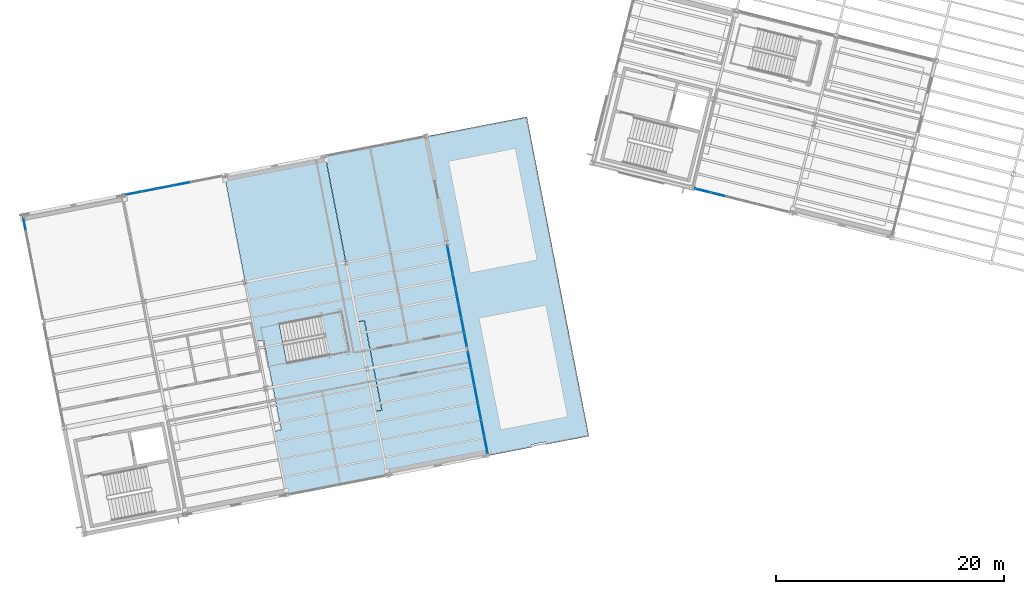
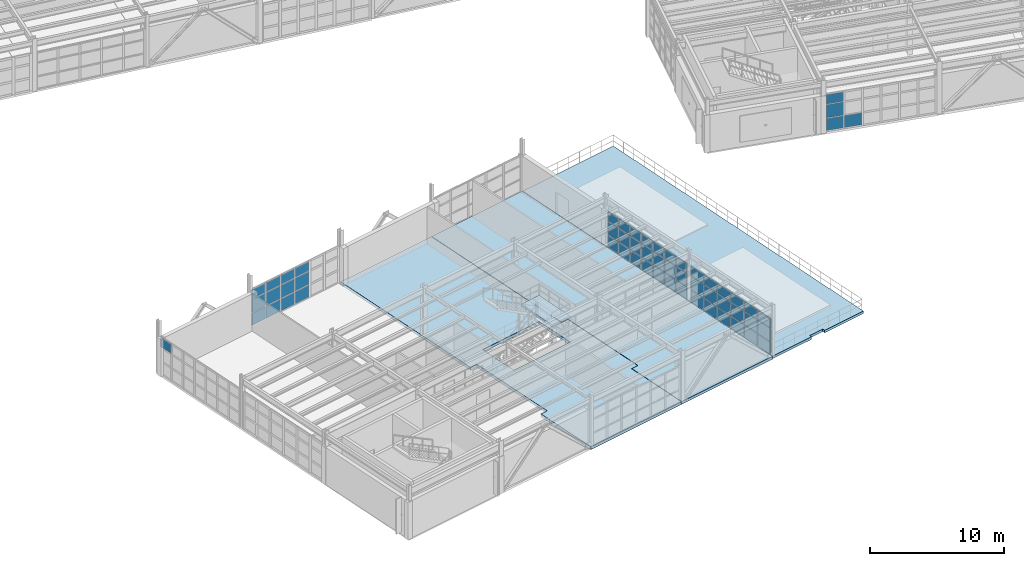
# One storey, part 65 of 109: 56 plates, 4 slabs, 6 elements without a shape of their own.
"""IFC4 building model written with IfcOpenShell, lengths in metres."""

import ifcopenshell
import ifcopenshell.guid

model = None  # the IFC model being written
_history = None  # IfcOwnerHistory: only IFC2X3 demands one
_inside = {}  # id of a spatial element -> (the spatial element, [elements in it])
_under = {}  # id of a project, library or spatial element -> (it, [spatial elements below it])
_declared = {}  # id of a project -> (the project, [libraries it declares])
_typed = {}  # id of a type object -> (the type object, [elements of that type])
_made_of = {}  # id of a material, layer set ... -> (it, [elements and type objects made of it])


def new_model(schema):
    """Start an empty IFC model of exactly this schema.

    Asked for "IFC4X3", IfcOpenShell would pick the latest addendum, in which some entities
    have other attributes; the version numbers below select the first issue.
    IFC2X3 requires an IfcOwnerHistory on every rooted entity: one is made here for all.
    """
    global model, _history
    if schema == "IFC4X3":
        model = ifcopenshell.file(schema_version=(4, 3, 0, 0))
    else:
        model = ifcopenshell.file(schema=schema)
    _inside.clear()
    _under.clear()
    _declared.clear()
    _typed.clear()
    _made_of.clear()
    _history = None
    if model.schema == "IFC2X3":
        org = make("IfcOrganization", Name="unknown")
        user = make(
            "IfcPersonAndOrganization",
            ThePerson=make("IfcPerson", FamilyName="unknown"),
            TheOrganization=org,
        )
        app = make(
            "IfcApplication",
            ApplicationDeveloper=org,
            Version="unknown",
            ApplicationFullName="unknown",
            ApplicationIdentifier="unknown",
        )
        _history = make(
            "IfcOwnerHistory",
            OwningUser=user,
            OwningApplication=app,
            ChangeAction="ADDED",
            CreationDate=0,
        )
    return model


def make(cls, **values):
    """One entity of the class cls with the attributes given. An attribute that is None is left unset."""
    return model.create_entity(
        cls, **{name: value for name, value in values.items() if value is not None}
    )


def rooted(cls, **values):
    """An entity with a GlobalId (a new one), such as an element, a storey or a relation."""
    return make(cls, GlobalId=ifcopenshell.guid.new(), OwnerHistory=_history, **values)


def si_unit(unit_type, name, prefix=None):
    """IfcSIUnit, for example si_unit("LENGTHUNIT", "METRE", prefix="MILLI")."""
    return make("IfcSIUnit", UnitType=unit_type, Prefix=prefix, Name=name)


def assignment(units):
    """IfcUnitAssignment: the units of a project."""
    return None if units is None else make("IfcUnitAssignment", Units=units)


def point(xyz):
    """IfcCartesianPoint."""
    return None if xyz is None else make("IfcCartesianPoint", Coordinates=xyz)


def direction(xyz):
    """IfcDirection."""
    return None if xyz is None else make("IfcDirection", DirectionRatios=xyz)


def frame(location, z_axis=None, x_axis=None):
    """IfcAxis2Placement3D, a coordinate frame: its origin and axes. An axis left out is left unset."""
    return make(
        "IfcAxis2Placement3D",
        Location=point(location),
        Axis=direction(z_axis),
        RefDirection=direction(x_axis),
    )


def frame_2d(location, x_axis=None):
    """IfcAxis2Placement2D, a coordinate frame in the plane: its origin and x axis."""
    return make(
        "IfcAxis2Placement2D", Location=point(location), RefDirection=direction(x_axis)
    )


def origin():
    """The frame at (0, 0, 0) with its axes left unset."""
    return frame((0.0, 0.0, 0.0))


def origin_2d():
    """The frame at (0, 0) in the plane with its x axis left unset."""
    return frame_2d((0.0, 0.0))


def place(relative_to, where):
    """IfcLocalPlacement: puts the frame where relative to a parent placement (None: the world)."""
    return make(
        "IfcLocalPlacement", PlacementRelTo=relative_to, RelativePlacement=where
    )


def context(
    kind, dimensions, precision=None, world=None, true_north=None, identifier=None
):
    """IfcGeometricRepresentationContext, for example the 3D "Model" context."""
    return make(
        "IfcGeometricRepresentationContext",
        ContextIdentifier=identifier,
        ContextType=kind,
        CoordinateSpaceDimension=dimensions,
        Precision=precision,
        WorldCoordinateSystem=world,
        TrueNorth=true_north,
    )


def subcontext(parent, identifier, kind, view, scale=None):
    """IfcGeometricRepresentationSubContext, for example "Body" below "Model"."""
    return make(
        "IfcGeometricRepresentationSubContext",
        ContextIdentifier=identifier,
        ContextType=kind,
        ParentContext=parent,
        TargetScale=scale,
        TargetView=view,
    )


def project(units=None, contexts=None):
    """IfcProject with its units and contexts."""
    return rooted(
        "IfcProject",
        Name="project",
        RepresentationContexts=contexts,
        UnitsInContext=assignment(units),
    )


def spatial(cls, under=None, at=None, **own):
    """A site, building, storey or space (cls), placed at a placement, below another one or the project."""
    s = rooted(cls, ObjectPlacement=at, **own)
    if under is not None:
        _under.setdefault(under.id(), (under, []))[1].append(s)
    return s


def polyline(points):
    """IfcPolyline through the points."""
    return make("IfcPolyline", Points=[point(p) for p in points])


def profile(cls, at=None, kind="AREA", **sizes):
    """A parametric profile (cls). Its sizes go by their IFC names, for example OverallWidth=200.0."""
    return make(cls, ProfileType=kind, Position=at, **sizes)


def rectangle(**sizes):
    """IfcRectangleProfileDef."""
    return profile("IfcRectangleProfileDef", **sizes)


def outline(outer, holes=None, kind="AREA"):
    """IfcArbitraryClosedProfileDef: a profile drawn as a closed curve; with holes, ...WithVoids."""
    if holes is None:
        return make("IfcArbitraryClosedProfileDef", ProfileType=kind, OuterCurve=outer)
    return make(
        "IfcArbitraryProfileDefWithVoids",
        ProfileType=kind,
        OuterCurve=outer,
        InnerCurves=holes,
    )


def extrude(swept, where, along, depth):
    """IfcExtrudedAreaSolid: the profile swept, set in the frame where, extruded along a direction by depth."""
    return make(
        "IfcExtrudedAreaSolid",
        SweptArea=swept,
        Position=where,
        ExtrudedDirection=direction(along),
        Depth=depth,
    )


def shape(context_of_items, identifier, shape_type, items):
    """IfcShapeRepresentation: the items that make up one representation, for example the "Body"."""
    return make(
        "IfcShapeRepresentation",
        ContextOfItems=context_of_items,
        RepresentationIdentifier=identifier,
        RepresentationType=shape_type,
        Items=items,
    )


def material(Name=None, Category=None):
    """IfcMaterial."""
    return make("IfcMaterial", Name=Name, Category=Category)


def layer(
    of_material, thickness, ventilated=None, Name=None, Category=None, Priority=None
):
    """IfcMaterialLayer: one layer of a wall or slab, of a material (None: an air gap)."""
    return make(
        "IfcMaterialLayer",
        Material=of_material,
        LayerThickness=thickness,
        IsVentilated=ventilated,
        Name=Name,
        Category=Category,
        Priority=Priority,
    )


def layer_set(layers, Name=None):
    """IfcMaterialLayerSet."""
    return make("IfcMaterialLayerSet", MaterialLayers=layers, LayerSetName=Name)


def made_of(thing, what):
    """Note that an element or type object is made of a material, layer set ...; save() writes the relation."""
    if what is not None:
        _made_of.setdefault(what.id(), (what, []))[1].append(thing)
    return thing


def type_object(cls, material=None, **own):
    """A type object (cls), such as IfcWallType, which elements share."""
    return made_of(rooted(cls, **own), material)


def element(
    cls,
    number,
    at=None,
    inside=None,
    cuts=None,
    type_object=None,
    material=None,
    context=None,
    identifier="Body",
    shape_type=None,
    held_by="IfcProductDefinitionShape",
    body=None,
    shapes=None,
    **own,
):
    """One element of the class cls, such as IfcWall. Its Tag is "e" and its number.

    at: its placement. inside: the storey or other place that contains it. cuts: it is an
    opening in that element (IfcRelVoidsElement). A single representation is given by context,
    identifier, shape_type and body (its items); several are given by shapes. held_by: the class
    of the entity that holds the representations. save() writes the other relations.
    """
    e = rooted(cls, Tag="e%d" % number, ObjectPlacement=at, **own)
    if body is not None:
        shapes = [shape(context, identifier, shape_type, body)]
    if shapes is not None:
        e.Representation = make(held_by, Representations=shapes)
    if inside is not None:
        _inside.setdefault(inside.id(), (inside, []))[1].append(e)
    if cuts is not None:
        rooted(
            "IfcRelVoidsElement", RelatingBuildingElement=cuts, RelatedOpeningElement=e
        )
    if type_object is not None:
        _typed.setdefault(type_object.id(), (type_object, []))[1].append(e)
    return made_of(e, material)


def aggregate(whole, parts):
    """IfcRelAggregates: a whole, such as a stair, and the parts it consists of."""
    return rooted("IfcRelAggregates", RelatingObject=whole, RelatedObjects=parts)


def save(model, path):
    """Write the relations noted so far, then the file.

    IfcRelAggregates (storeys below a building ...), IfcRelContainedInSpatialStructure (elements
    in a storey), IfcRelDefinesByType, IfcRelAssociatesMaterial and IfcRelDeclares: one each for
    every whole, place, type object, material and project.
    """
    for whole, parts in _under.values():
        aggregate(whole, parts)
    for where, things in _inside.values():
        rooted(
            "IfcRelContainedInSpatialStructure",
            RelatedElements=things,
            RelatingStructure=where,
        )
    for kind, things in _typed.values():
        rooted("IfcRelDefinesByType", RelatedObjects=things, RelatingType=kind)
    for what, things in _made_of.values():
        rooted("IfcRelAssociatesMaterial", RelatedObjects=things, RelatingMaterial=what)
    for by, libraries in _declared.values():
        rooted("IfcRelDeclares", RelatingContext=by, RelatedDefinitions=libraries)
    model.write(path)


model = new_model("IFC4")

# Units and contexts
model_context = context("Model", 3, precision=1e-05, world=origin(), true_north=direction((0.0, 1.0)))
body_context = subcontext(model_context, "Body", "Model", "MODEL_VIEW")
ifc_project = project(units=[si_unit("LENGTHUNIT", "METRE"), si_unit("AREAUNIT", "SQUARE_METRE"), si_unit("VOLUMEUNIT", "CUBIC_METRE"), si_unit("PLANEANGLEUNIT", "RADIAN"), si_unit("MASSUNIT", "GRAM", prefix="KILO")], contexts=[model_context])

# Site, building, storey
site_placement = place(None, origin())
site = spatial("IfcSite", under=ifc_project, at=site_placement, CompositionType="ELEMENT")
building_placement = place(site_placement, origin())
building = spatial("IfcBuilding", under=site, at=building_placement, Name="Vireo Bluff Cable Station", CompositionType="ELEMENT")
storey_placement = place(building_placement, frame((0.0, 0.0, 4.800048828125)))
storey = spatial("IfcBuildingStorey", under=building, at=storey_placement, Name="L01", CompositionType="ELEMENT", Elevation=4.800048828125)

# Curtain wall, plate
ifc_material_1 = material(Name="Anodized Aluminium 6063-T6", Category="aluminium")
ifc_layer_1 = layer(ifc_material_1, 0.179931640625, Name="Anodized Aluminium 6063-T6")
ifc_layer_set_1 = layer_set([ifc_layer_1], Name="Anodized Aluminium 6063-T6")
curtain_wall_type_1 = type_object("IfcCurtainWallType", Name="CW-UNIT-1400", PredefinedType="USERDEFINED", material=ifc_layer_set_1)
curtain_wall_1_placement = place(storey_placement, origin())
curtain_wall_1 = element("IfcCurtainWall", 1, at=curtain_wall_1_placement, inside=storey, type_object=curtain_wall_type_1, Name="V5 L01 west curtain wall CW-120", ObjectType="UNITISED CURTAIN WALL", PredefinedType="USERDEFINED")
ifc_material_2 = material(Name="Laminated Low-E Insulated Glass", Category="glass")
ifc_layer_2 = layer(ifc_material_2, 0.028076171875, Name="Laminated Low-E Insulated Glass")
ifc_layer_set_2 = layer_set([ifc_layer_2], Name="Laminated Low-E Insulated Glass")
plate_type_1 = type_object("IfcPlateType", Name="CWP-28-1", PredefinedType="CURTAIN_PANEL", material=ifc_layer_set_2)
plate_1_placement = place(storey_placement, frame((4.2197265625, 32.6640625, 2.48046875), z_axis=(0.0, 0.0, 1.0), x_axis=(-0.190808999917, 0.981627182565, 0.0)))
plate_1 = element("IfcPlate", 2, at=plate_1_placement, type_object=plate_type_1, Name="CW-120 panel 7.3", PredefinedType="CURTAIN_PANEL", context=body_context, shape_type="SweptSolid", body=[
    extrude(rectangle(XDim=1.2109375, YDim=0.028076171875, at=origin_2d()), origin(), (0.0, 0.0, 1.0), 0.8544921875),
])
aggregate(curtain_wall_1, [plate_1])

# Curtain wall, plates
ifc_layer_3 = layer(ifc_material_1, 0.179931640625, Name="Anodized Aluminium 6063-T6")
ifc_layer_set_3 = layer_set([ifc_layer_3], Name="Anodized Aluminium 6063-T6")
curtain_wall_type_2 = type_object("IfcCurtainWallType", Name="CW-UNIT-1500", PredefinedType="USERDEFINED", material=ifc_layer_set_3)
curtain_wall_2_placement = place(storey_placement, origin())
curtain_wall_2 = element("IfcCurtainWall", 3, at=curtain_wall_2_placement, inside=storey, type_object=curtain_wall_type_2, Name="V5 L01 north curtain wall CW-121", ObjectType="UNITISED CURTAIN WALL", PredefinedType="USERDEFINED")
ifc_layer_4 = layer(ifc_material_2, 0.031982421875, Name="Laminated Low-E Insulated Glass")
ifc_layer_set_4 = layer_set([ifc_layer_4], Name="Laminated Low-E Insulated Glass")
plate_type_2 = type_object("IfcPlateType", Name="CWP-32-2", PredefinedType="CURTAIN_PANEL", material=ifc_layer_set_4)
plate_2_placement = place(storey_placement, frame((13.75341796875, 35.360107421875, 0.0751953125), z_axis=(0.0, 0.0, 1.0), x_axis=(0.981627185572, 0.190808984446, 0.0)))
plate_2 = element("IfcPlate", 4, at=plate_2_placement, type_object=plate_type_2, Name="CW-121 panel 1.1", PredefinedType="CURTAIN_PANEL", context=body_context, shape_type="SweptSolid", body=[
    extrude(rectangle(XDim=1.33447265625, YDim=0.031982421875, at=origin_2d()), origin(), (0.0, 0.0, 1.0), 1.077392578125),
])
plate_3_placement = place(storey_placement, frame((13.75341796875, 35.360107421875, 1.227294921875), z_axis=(0.0, 0.0, 1.0), x_axis=(0.981627185572, 0.190808984446, 0.0)))
plate_3 = element("IfcPlate", 5, at=plate_3_placement, type_object=plate_type_2, Name="CW-121 panel 1.2", PredefinedType="CURTAIN_PANEL", context=body_context, shape_type="SweptSolid", body=[
    extrude(rectangle(XDim=1.33447265625, YDim=0.031982421875, at=origin_2d()), origin(), (0.0, 0.0, 1.0), 1.18310546875),
])
plate_4_placement = place(storey_placement, frame((13.75341796875, 35.360107421875, 2.4853515625), z_axis=(0.0, 0.0, 1.0), x_axis=(0.981627185572, 0.190808984446, 0.0)))
plate_4 = element("IfcPlate", 6, at=plate_4_placement, type_object=plate_type_2, Name="CW-121 panel 1.3", PredefinedType="CURTAIN_PANEL", context=body_context, shape_type="SweptSolid", body=[
    extrude(rectangle(XDim=1.33447265625, YDim=0.031982421875, at=origin_2d()), origin(), (0.0, 0.0, 1.0), 0.839599609375),
])
plate_5_placement = place(storey_placement, frame((15.155517578125, 35.6328125, 0.0751953125), z_axis=(0.0, 0.0, 1.0), x_axis=(0.981627185572, 0.190808984446, 0.0)))
plate_5 = element("IfcPlate", 7, at=plate_5_placement, type_object=plate_type_2, Name="CW-121 panel 2.1", PredefinedType="CURTAIN_PANEL", context=body_context, shape_type="SweptSolid", body=[
    extrude(rectangle(XDim=1.3720703125, YDim=0.031982421875, at=origin_2d()), origin(), (0.0, 0.0, 1.0), 1.077392578125),
])
plate_6_placement = place(storey_placement, frame((15.155517578125, 35.6328125, 1.227294921875), z_axis=(0.0, 0.0, 1.0), x_axis=(0.981627185572, 0.190808984446, 0.0)))
plate_6 = element("IfcPlate", 8, at=plate_6_placement, type_object=plate_type_2, Name="CW-121 panel 2.2", PredefinedType="CURTAIN_PANEL", context=body_context, shape_type="SweptSolid", body=[
    extrude(rectangle(XDim=1.3720703125, YDim=0.031982421875, at=origin_2d()), origin(), (0.0, 0.0, 1.0), 1.18310546875),
])
plate_7_placement = place(storey_placement, frame((15.155517578125, 35.6328125, 2.4853515625), z_axis=(0.0, 0.0, 1.0), x_axis=(0.981627185572, 0.190808984446, 0.0)))
plate_7 = element("IfcPlate", 9, at=plate_7_placement, type_object=plate_type_2, Name="CW-121 panel 2.3", PredefinedType="CURTAIN_PANEL", context=body_context, shape_type="SweptSolid", body=[
    extrude(rectangle(XDim=1.3720703125, YDim=0.031982421875, at=origin_2d()), origin(), (0.0, 0.0, 1.0), 0.839599609375),
])
plate_8_placement = place(storey_placement, frame((16.575927734375, 35.908935546875, 0.0751953125), z_axis=(0.0, 0.0, 1.0), x_axis=(0.981627185572, 0.190808984446, 0.0)))
plate_8 = element("IfcPlate", 10, at=plate_8_placement, type_object=plate_type_2, Name="CW-121 panel 3.1", PredefinedType="CURTAIN_PANEL", context=body_context, shape_type="SweptSolid", body=[
    extrude(rectangle(XDim=1.3720703125, YDim=0.031982421875, at=origin_2d()), origin(), (0.0, 0.0, 1.0), 1.077392578125),
])
plate_9_placement = place(storey_placement, frame((16.575927734375, 35.908935546875, 1.227294921875), z_axis=(0.0, 0.0, 1.0), x_axis=(0.981627185572, 0.190808984446, 0.0)))
plate_9 = element("IfcPlate", 11, at=plate_9_placement, type_object=plate_type_2, Name="CW-121 panel 3.2", PredefinedType="CURTAIN_PANEL", context=body_context, shape_type="SweptSolid", body=[
    extrude(rectangle(XDim=1.3720703125, YDim=0.031982421875, at=origin_2d()), origin(), (0.0, 0.0, 1.0), 1.18310546875),
])
plate_10_placement = place(storey_placement, frame((16.575927734375, 35.908935546875, 2.4853515625), z_axis=(0.0, 0.0, 1.0), x_axis=(0.981627185572, 0.190808984446, 0.0)))
plate_10 = element("IfcPlate", 12, at=plate_10_placement, type_object=plate_type_2, Name="CW-121 panel 3.3", PredefinedType="CURTAIN_PANEL", context=body_context, shape_type="SweptSolid", body=[
    extrude(rectangle(XDim=1.3720703125, YDim=0.031982421875, at=origin_2d()), origin(), (0.0, 0.0, 1.0), 0.839599609375),
])
plate_11_placement = place(storey_placement, frame((17.996337890625, 36.18505859375, 0.0751953125), z_axis=(0.0, 0.0, 1.0), x_axis=(0.981627185572, 0.190808984446, 0.0)))
plate_11 = element("IfcPlate", 13, at=plate_11_placement, type_object=plate_type_2, Name="CW-121 panel 4.1", PredefinedType="CURTAIN_PANEL", context=body_context, shape_type="SweptSolid", body=[
    extrude(rectangle(XDim=1.3720703125, YDim=0.031982421875, at=origin_2d()), origin(), (0.0, 0.0, 1.0), 1.077392578125),
])
plate_12_placement = place(storey_placement, frame((17.996337890625, 36.18505859375, 1.227294921875), z_axis=(0.0, 0.0, 1.0), x_axis=(0.981627185572, 0.190808984446, 0.0)))
plate_12 = element("IfcPlate", 14, at=plate_12_placement, type_object=plate_type_2, Name="CW-121 panel 4.2", PredefinedType="CURTAIN_PANEL", context=body_context, shape_type="SweptSolid", body=[
    extrude(rectangle(XDim=1.3720703125, YDim=0.031982421875, at=origin_2d()), origin(), (0.0, 0.0, 1.0), 1.18310546875),
])
plate_13_placement = place(storey_placement, frame((17.996337890625, 36.18505859375, 2.4853515625), z_axis=(0.0, 0.0, 1.0), x_axis=(0.981627185572, 0.190808984446, 0.0)))
plate_13 = element("IfcPlate", 15, at=plate_13_placement, type_object=plate_type_2, Name="CW-121 panel 4.3", PredefinedType="CURTAIN_PANEL", context=body_context, shape_type="SweptSolid", body=[
    extrude(rectangle(XDim=1.3720703125, YDim=0.031982421875, at=origin_2d()), origin(), (0.0, 0.0, 1.0), 0.839599609375),
])
aggregate(curtain_wall_2, [plate_2, plate_3, plate_4, plate_5, plate_6, plate_7, plate_8, plate_9, plate_10, plate_11, plate_12, plate_13])

curtain_wall_3_placement = place(storey_placement, origin())
curtain_wall_3 = element("IfcCurtainWall", 16, at=curtain_wall_3_placement, inside=storey, type_object=curtain_wall_type_1, Name="V5 L01 east curtain wall CW-123", ObjectType="UNITISED CURTAIN WALL", PredefinedType="USERDEFINED")
ifc_material_3 = material(Name="Insulated Spandrel Glass Panel", Category="glass")
ifc_layer_5 = layer(ifc_material_3, 0.0419921875, Name="Insulated Spandrel Glass Panel")
ifc_layer_set_5 = layer_set([ifc_layer_5], Name="Insulated Spandrel Glass Panel")
plate_type_3 = type_object("IfcPlateType", Name="CWP-42-4", PredefinedType="CURTAIN_PANEL", material=ifc_layer_set_5)
plate_14_placement = place(storey_placement, frame((41.37646484375, 30.179931640625, 0.080078125), z_axis=(0.0, 0.0, 1.0), x_axis=(0.190809043708, -0.981627174053, 0.0)))
plate_14 = element("IfcPlate", 17, at=plate_14_placement, type_object=plate_type_3, Name="CW-123 panel 1.1", PredefinedType="CURTAIN_PANEL", context=body_context, shape_type="SweptSolid", body=[
    extrude(rectangle(XDim=1.184814453125, YDim=0.0419921875, at=origin_2d()), origin(), (0.0, 0.0, 1.0), 1.070068359375),
])
plate_15_placement = place(storey_placement, frame((41.37646484375, 30.179931640625, 1.22998046875), z_axis=(0.0, 0.0, 1.0), x_axis=(0.190809043708, -0.981627174053, 0.0)))
plate_15 = element("IfcPlate", 18, at=plate_15_placement, type_object=plate_type_3, Name="CW-123 panel 1.2", PredefinedType="CURTAIN_PANEL", context=body_context, shape_type="SweptSolid", body=[
    extrude(rectangle(XDim=1.184814453125, YDim=0.0419921875, at=origin_2d()), origin(), (0.0, 0.0, 1.0), 1.177978515625),
])
plate_16_placement = place(storey_placement, frame((41.37646484375, 30.179931640625, 2.488037109375), z_axis=(0.0, 0.0, 1.0), x_axis=(0.190809043708, -0.981627174053, 0.0)))
plate_16 = element("IfcPlate", 19, at=plate_16_placement, type_object=plate_type_3, Name="CW-123 panel 1.3", PredefinedType="CURTAIN_PANEL", context=body_context, shape_type="SweptSolid", body=[
    extrude(rectangle(XDim=1.184814453125, YDim=0.0419921875, at=origin_2d()), origin(), (0.0, 0.0, 1.0), 0.83203125),
])
plate_17_placement = place(storey_placement, frame((41.62158203125, 28.918701171875, 0.080078125), z_axis=(0.0, 0.0, 1.0), x_axis=(0.190809043708, -0.981627174053, 0.0)))
plate_17 = element("IfcPlate", 20, at=plate_17_placement, type_object=plate_type_3, Name="CW-123 panel 2.1", PredefinedType="CURTAIN_PANEL", context=body_context, shape_type="SweptSolid", body=[
    extrude(rectangle(XDim=1.224609375, YDim=0.0419921875, at=origin_2d()), origin(), (0.0, 0.0, 1.0), 1.070068359375),
])
plate_18_placement = place(storey_placement, frame((41.62158203125, 28.918701171875, 1.22998046875), z_axis=(0.0, 0.0, 1.0), x_axis=(0.190809043708, -0.981627174053, 0.0)))
plate_18 = element("IfcPlate", 21, at=plate_18_placement, type_object=plate_type_3, Name="CW-123 panel 2.2", PredefinedType="CURTAIN_PANEL", context=body_context, shape_type="SweptSolid", body=[
    extrude(rectangle(XDim=1.224609375, YDim=0.0419921875, at=origin_2d()), origin(), (0.0, 0.0, 1.0), 1.177978515625),
])
plate_19_placement = place(storey_placement, frame((41.62158203125, 28.918701171875, 2.488037109375), z_axis=(0.0, 0.0, 1.0), x_axis=(0.190809043708, -0.981627174053, 0.0)))
plate_19 = element("IfcPlate", 22, at=plate_19_placement, type_object=plate_type_3, Name="CW-123 panel 2.3", PredefinedType="CURTAIN_PANEL", context=body_context, shape_type="SweptSolid", body=[
    extrude(rectangle(XDim=1.224609375, YDim=0.0419921875, at=origin_2d()), origin(), (0.0, 0.0, 1.0), 0.83203125),
])
plate_20_placement = place(storey_placement, frame((41.87060546875, 27.637939453125, 0.080078125), z_axis=(0.0, 0.0, 1.0), x_axis=(0.190809043708, -0.981627174053, 0.0)))
plate_20 = element("IfcPlate", 23, at=plate_20_placement, type_object=plate_type_3, Name="CW-123 panel 3.1", PredefinedType="CURTAIN_PANEL", context=body_context, shape_type="SweptSolid", body=[
    extrude(rectangle(XDim=1.224609375, YDim=0.0419921875, at=origin_2d()), origin(), (0.0, 0.0, 1.0), 1.070068359375),
])
plate_21_placement = place(storey_placement, frame((41.87060546875, 27.637939453125, 1.22998046875), z_axis=(0.0, 0.0, 1.0), x_axis=(0.190809043708, -0.981627174053, 0.0)))
plate_21 = element("IfcPlate", 24, at=plate_21_placement, type_object=plate_type_3, Name="CW-123 panel 3.2", PredefinedType="CURTAIN_PANEL", context=body_context, shape_type="SweptSolid", body=[
    extrude(rectangle(XDim=1.224609375, YDim=0.0419921875, at=origin_2d()), origin(), (0.0, 0.0, 1.0), 1.177978515625),
])
plate_22_placement = place(storey_placement, frame((41.87060546875, 27.637939453125, 2.488037109375), z_axis=(0.0, 0.0, 1.0), x_axis=(0.190809043708, -0.981627174053, 0.0)))
plate_22 = element("IfcPlate", 25, at=plate_22_placement, type_object=plate_type_3, Name="CW-123 panel 3.3", PredefinedType="CURTAIN_PANEL", context=body_context, shape_type="SweptSolid", body=[
    extrude(rectangle(XDim=1.224609375, YDim=0.0419921875, at=origin_2d()), origin(), (0.0, 0.0, 1.0), 0.83203125),
])
plate_23_placement = place(storey_placement, frame((42.11962890625, 26.357421875, 0.080078125), z_axis=(0.0, 0.0, 1.0), x_axis=(0.190809043708, -0.981627174053, 0.0)))
plate_23 = element("IfcPlate", 26, at=plate_23_placement, type_object=plate_type_3, Name="CW-123 panel 4.1", PredefinedType="CURTAIN_PANEL", context=body_context, shape_type="SweptSolid", body=[
    extrude(rectangle(XDim=1.224609375, YDim=0.0419921875, at=origin_2d()), origin(), (0.0, 0.0, 1.0), 1.070068359375),
])
plate_24_placement = place(storey_placement, frame((42.11962890625, 26.357421875, 1.22998046875), z_axis=(0.0, 0.0, 1.0), x_axis=(0.190809043708, -0.981627174053, 0.0)))
plate_24 = element("IfcPlate", 27, at=plate_24_placement, type_object=plate_type_3, Name="CW-123 panel 4.2", PredefinedType="CURTAIN_PANEL", context=body_context, shape_type="SweptSolid", body=[
    extrude(rectangle(XDim=1.224609375, YDim=0.0419921875, at=origin_2d()), origin(), (0.0, 0.0, 1.0), 1.177978515625),
])
plate_25_placement = place(storey_placement, frame((42.11962890625, 26.357421875, 2.488037109375), z_axis=(0.0, 0.0, 1.0), x_axis=(0.190809043708, -0.981627174053, 0.0)))
plate_25 = element("IfcPlate", 28, at=plate_25_placement, type_object=plate_type_3, Name="CW-123 panel 4.3", PredefinedType="CURTAIN_PANEL", context=body_context, shape_type="SweptSolid", body=[
    extrude(rectangle(XDim=1.224609375, YDim=0.0419921875, at=origin_2d()), origin(), (0.0, 0.0, 1.0), 0.83203125),
])
plate_26_placement = place(storey_placement, frame((42.368408203125, 25.07666015625, 0.080078125), z_axis=(0.0, 0.0, 1.0), x_axis=(0.190809043708, -0.981627174053, 0.0)))
plate_26 = element("IfcPlate", 29, at=plate_26_placement, type_object=plate_type_3, Name="CW-123 panel 5.1", PredefinedType="CURTAIN_PANEL", context=body_context, shape_type="SweptSolid", body=[
    extrude(rectangle(XDim=1.224609375, YDim=0.0419921875, at=origin_2d()), origin(), (0.0, 0.0, 1.0), 1.070068359375),
])
plate_27_placement = place(storey_placement, frame((42.368408203125, 25.07666015625, 1.22998046875), z_axis=(0.0, 0.0, 1.0), x_axis=(0.190809043708, -0.981627174053, 0.0)))
plate_27 = element("IfcPlate", 30, at=plate_27_placement, type_object=plate_type_3, Name="CW-123 panel 5.2", PredefinedType="CURTAIN_PANEL", context=body_context, shape_type="SweptSolid", body=[
    extrude(rectangle(XDim=1.224609375, YDim=0.0419921875, at=origin_2d()), origin(), (0.0, 0.0, 1.0), 1.177978515625),
])
plate_28_placement = place(storey_placement, frame((42.368408203125, 25.07666015625, 2.488037109375), z_axis=(0.0, 0.0, 1.0), x_axis=(0.190809043708, -0.981627174053, 0.0)))
plate_28 = element("IfcPlate", 31, at=plate_28_placement, type_object=plate_type_3, Name="CW-123 panel 5.3", PredefinedType="CURTAIN_PANEL", context=body_context, shape_type="SweptSolid", body=[
    extrude(rectangle(XDim=1.224609375, YDim=0.0419921875, at=origin_2d()), origin(), (0.0, 0.0, 1.0), 0.83203125),
])
plate_29_placement = place(storey_placement, frame((42.617431640625, 23.7958984375, 0.080078125), z_axis=(0.0, 0.0, 1.0), x_axis=(0.190809043708, -0.981627174053, 0.0)))
plate_29 = element("IfcPlate", 32, at=plate_29_placement, type_object=plate_type_3, Name="CW-123 panel 6.1", PredefinedType="CURTAIN_PANEL", context=body_context, shape_type="SweptSolid", body=[
    extrude(rectangle(XDim=1.224609375, YDim=0.0419921875, at=origin_2d()), origin(), (0.0, 0.0, 1.0), 1.070068359375),
])
plate_30_placement = place(storey_placement, frame((42.617431640625, 23.7958984375, 1.22998046875), z_axis=(0.0, 0.0, 1.0), x_axis=(0.190809043708, -0.981627174053, 0.0)))
plate_30 = element("IfcPlate", 33, at=plate_30_placement, type_object=plate_type_3, Name="CW-123 panel 6.2", PredefinedType="CURTAIN_PANEL", context=body_context, shape_type="SweptSolid", body=[
    extrude(rectangle(XDim=1.224609375, YDim=0.0419921875, at=origin_2d()), origin(), (0.0, 0.0, 1.0), 1.177978515625),
])
plate_31_placement = place(storey_placement, frame((42.617431640625, 23.7958984375, 2.488037109375), z_axis=(0.0, 0.0, 1.0), x_axis=(0.190809043708, -0.981627174053, 0.0)))
plate_31 = element("IfcPlate", 34, at=plate_31_placement, type_object=plate_type_3, Name="CW-123 panel 6.3", PredefinedType="CURTAIN_PANEL", context=body_context, shape_type="SweptSolid", body=[
    extrude(rectangle(XDim=1.224609375, YDim=0.0419921875, at=origin_2d()), origin(), (0.0, 0.0, 1.0), 0.83203125),
])
plate_32_placement = place(storey_placement, frame((42.862548828125, 22.53466796875, 0.080078125), z_axis=(0.0, 0.0, 1.0), x_axis=(0.190809043708, -0.981627174053, 0.0)))
plate_32 = element("IfcPlate", 35, at=plate_32_placement, type_object=plate_type_3, Name="CW-123 panel 7.1", PredefinedType="CURTAIN_PANEL", context=body_context, shape_type="SweptSolid", body=[
    extrude(rectangle(XDim=1.184814453125, YDim=0.0419921875, at=origin_2d()), origin(), (0.0, 0.0, 1.0), 1.070068359375),
])
plate_33_placement = place(storey_placement, frame((42.862548828125, 22.53466796875, 1.22998046875), z_axis=(0.0, 0.0, 1.0), x_axis=(0.190809043708, -0.981627174053, 0.0)))
plate_33 = element("IfcPlate", 36, at=plate_33_placement, type_object=plate_type_3, Name="CW-123 panel 7.2", PredefinedType="CURTAIN_PANEL", context=body_context, shape_type="SweptSolid", body=[
    extrude(rectangle(XDim=1.184814453125, YDim=0.0419921875, at=origin_2d()), origin(), (0.0, 0.0, 1.0), 1.177978515625),
])
plate_34_placement = place(storey_placement, frame((42.862548828125, 22.53466796875, 2.488037109375), z_axis=(0.0, 0.0, 1.0), x_axis=(0.190809043708, -0.981627174053, 0.0)))
plate_34 = element("IfcPlate", 37, at=plate_34_placement, type_object=plate_type_3, Name="CW-123 panel 7.3", PredefinedType="CURTAIN_PANEL", context=body_context, shape_type="SweptSolid", body=[
    extrude(rectangle(XDim=1.184814453125, YDim=0.0419921875, at=origin_2d()), origin(), (0.0, 0.0, 1.0), 0.83203125),
])
aggregate(curtain_wall_3, [plate_14, plate_15, plate_16, plate_17, plate_18, plate_19, plate_20, plate_21, plate_22, plate_23, plate_24, plate_25, plate_26, plate_27, plate_28, plate_29, plate_30, plate_31, plate_32, plate_33, plate_34])

curtain_wall_4_placement = place(storey_placement, origin())
curtain_wall_4 = element("IfcCurtainWall", 38, at=curtain_wall_4_placement, inside=storey, type_object=curtain_wall_type_2, Name="V1 L01 south curtain wall CW-004", ObjectType="UNITISED CURTAIN WALL", PredefinedType="USERDEFINED")
ifc_layer_6 = layer(ifc_material_3, 0.048095703125, Name="Insulated Spandrel Glass Panel")
ifc_layer_set_6 = layer_set([ifc_layer_6], Name="Insulated Spandrel Glass Panel")
plate_type_4 = type_object("IfcPlateType", Name="CWP-48-5", PredefinedType="CURTAIN_PANEL", material=ifc_layer_set_6)
plate_35_placement = place(storey_placement, frame((65.006591796875, 35.255859375, 0.06494140625), z_axis=(0.0, 0.0, 1.0), x_axis=(-0.970295706891, 0.241921973348, 0.0)))
plate_35 = element("IfcPlate", 39, at=plate_35_placement, type_object=plate_type_4, Name="CW-004 panel 5.1", PredefinedType="CURTAIN_PANEL", context=body_context, shape_type="SweptSolid", body=[
    extrude(rectangle(XDim=1.37255859375, YDim=0.048095703125, at=origin_2d()), origin(), (0.0, 0.0, 1.0), 1.092529296875),
])
plate_36_placement = place(storey_placement, frame((63.62744140625, 35.599609375, 0.06494140625), z_axis=(0.0, 0.0, 1.0), x_axis=(-0.970295706891, 0.241921973348, 0.0)))
plate_36 = element("IfcPlate", 40, at=plate_36_placement, type_object=plate_type_4, Name="CW-004 panel 6.1", PredefinedType="CURTAIN_PANEL", context=body_context, shape_type="SweptSolid", body=[
    extrude(rectangle(XDim=1.340087890625, YDim=0.048095703125, at=origin_2d()), origin(), (0.0, 0.0, 1.0), 1.092529296875),
])
plate_37_placement = place(storey_placement, frame((63.62744140625, 35.599609375, 1.22216796875), z_axis=(0.0, 0.0, 1.0), x_axis=(-0.970295706891, 0.241921973348, 0.0)))
plate_37 = element("IfcPlate", 41, at=plate_37_placement, type_object=plate_type_4, Name="CW-004 panel 6.2", PredefinedType="CURTAIN_PANEL", context=body_context, shape_type="SweptSolid", body=[
    extrude(rectangle(XDim=1.340087890625, YDim=0.048095703125, at=origin_2d()), origin(), (0.0, 0.0, 1.0), 1.193115234375),
])
plate_38_placement = place(storey_placement, frame((63.62744140625, 35.599609375, 2.48046875), z_axis=(0.0, 0.0, 1.0), x_axis=(-0.970295706891, 0.241921973348, 0.0)))
plate_38 = element("IfcPlate", 42, at=plate_38_placement, type_object=plate_type_4, Name="CW-004 panel 6.3", PredefinedType="CURTAIN_PANEL", context=body_context, shape_type="SweptSolid", body=[
    extrude(rectangle(XDim=1.340087890625, YDim=0.048095703125, at=origin_2d()), origin(), (0.0, 0.0, 1.0), 0.8544921875),
])
aggregate(curtain_wall_4, [plate_35, plate_36, plate_37, plate_38])

curtain_wall_5_placement = place(storey_placement, origin())
curtain_wall_5 = element("IfcCurtainWall", 43, at=curtain_wall_5_placement, inside=storey, type_object=curtain_wall_type_2, Name="V5 L01 east curtain wall CW-124", ObjectType="UNITISED CURTAIN WALL", PredefinedType="USERDEFINED")
plate_39_placement = place(storey_placement, frame((43.209716796875, 20.7490234375, 0.06494140625), z_axis=(0.0, 0.0, 1.0), x_axis=(0.190808940124, -0.981627194188, 0.0)))
plate_39 = element("IfcPlate", 44, at=plate_39_placement, type_object=plate_type_4, Name="CW-124 panel 1.1", PredefinedType="CURTAIN_PANEL", context=body_context, shape_type="SweptSolid", body=[
    extrude(rectangle(XDim=1.429443359375, YDim=0.048095703125, at=origin_2d()), origin(), (0.0, 0.0, 1.0), 1.092529296875),
])
plate_40_placement = place(storey_placement, frame((43.209716796875, 20.7490234375, 1.22216796875), z_axis=(0.0, 0.0, 1.0), x_axis=(0.190808940124, -0.981627194188, 0.0)))
plate_40 = element("IfcPlate", 45, at=plate_40_placement, type_object=plate_type_4, Name="CW-124 panel 1.2", PredefinedType="CURTAIN_PANEL", context=body_context, shape_type="SweptSolid", body=[
    extrude(rectangle(XDim=1.429443359375, YDim=0.048095703125, at=origin_2d()), origin(), (0.0, 0.0, 1.0), 1.193115234375),
])
plate_41_placement = place(storey_placement, frame((43.209716796875, 20.7490234375, 2.48046875), z_axis=(0.0, 0.0, 1.0), x_axis=(0.190808940124, -0.981627194188, 0.0)))
plate_41 = element("IfcPlate", 46, at=plate_41_placement, type_object=plate_type_4, Name="CW-124 panel 1.3", PredefinedType="CURTAIN_PANEL", context=body_context, shape_type="SweptSolid", body=[
    extrude(rectangle(XDim=1.429443359375, YDim=0.048095703125, at=origin_2d()), origin(), (0.0, 0.0, 1.0), 0.8544921875),
])
plate_42_placement = place(storey_placement, frame((43.498046875, 19.26611328125, 0.06494140625), z_axis=(0.0, 0.0, 1.0), x_axis=(0.190808940124, -0.981627194188, 0.0)))
plate_42 = element("IfcPlate", 47, at=plate_42_placement, type_object=plate_type_4, Name="CW-124 panel 2.1", PredefinedType="CURTAIN_PANEL", context=body_context, shape_type="SweptSolid", body=[
    extrude(rectangle(XDim=1.4619140625, YDim=0.048095703125, at=origin_2d()), origin(), (0.0, 0.0, 1.0), 1.092529296875),
])
plate_43_placement = place(storey_placement, frame((43.498046875, 19.26611328125, 1.22216796875), z_axis=(0.0, 0.0, 1.0), x_axis=(0.190808940124, -0.981627194188, 0.0)))
plate_43 = element("IfcPlate", 48, at=plate_43_placement, type_object=plate_type_4, Name="CW-124 panel 2.2", PredefinedType="CURTAIN_PANEL", context=body_context, shape_type="SweptSolid", body=[
    extrude(rectangle(XDim=1.4619140625, YDim=0.048095703125, at=origin_2d()), origin(), (0.0, 0.0, 1.0), 1.193115234375),
])
plate_44_placement = place(storey_placement, frame((43.498046875, 19.26611328125, 2.48046875), z_axis=(0.0, 0.0, 1.0), x_axis=(0.190808940124, -0.981627194188, 0.0)))
plate_44 = element("IfcPlate", 49, at=plate_44_placement, type_object=plate_type_4, Name="CW-124 panel 2.3", PredefinedType="CURTAIN_PANEL", context=body_context, shape_type="SweptSolid", body=[
    extrude(rectangle(XDim=1.4619140625, YDim=0.048095703125, at=origin_2d()), origin(), (0.0, 0.0, 1.0), 0.8544921875),
])
plate_45_placement = place(storey_placement, frame((43.789306640625, 17.767333984375, 0.06494140625), z_axis=(0.0, 0.0, 1.0), x_axis=(0.190808940124, -0.981627194188, 0.0)))
plate_45 = element("IfcPlate", 50, at=plate_45_placement, type_object=plate_type_4, Name="CW-124 panel 3.1", PredefinedType="CURTAIN_PANEL", context=body_context, shape_type="SweptSolid", body=[
    extrude(rectangle(XDim=1.4619140625, YDim=0.048095703125, at=origin_2d()), origin(), (0.0, 0.0, 1.0), 1.092529296875),
])
plate_46_placement = place(storey_placement, frame((43.789306640625, 17.767333984375, 1.22216796875), z_axis=(0.0, 0.0, 1.0), x_axis=(0.190808940124, -0.981627194188, 0.0)))
plate_46 = element("IfcPlate", 51, at=plate_46_placement, type_object=plate_type_4, Name="CW-124 panel 3.2", PredefinedType="CURTAIN_PANEL", context=body_context, shape_type="SweptSolid", body=[
    extrude(rectangle(XDim=1.4619140625, YDim=0.048095703125, at=origin_2d()), origin(), (0.0, 0.0, 1.0), 1.193115234375),
])
plate_47_placement = place(storey_placement, frame((43.789306640625, 17.767333984375, 2.48046875), z_axis=(0.0, 0.0, 1.0), x_axis=(0.190808940124, -0.981627194188, 0.0)))
plate_47 = element("IfcPlate", 52, at=plate_47_placement, type_object=plate_type_4, Name="CW-124 panel 3.3", PredefinedType="CURTAIN_PANEL", context=body_context, shape_type="SweptSolid", body=[
    extrude(rectangle(XDim=1.4619140625, YDim=0.048095703125, at=origin_2d()), origin(), (0.0, 0.0, 1.0), 0.8544921875),
])
plate_48_placement = place(storey_placement, frame((44.08056640625, 16.2685546875, 0.06494140625), z_axis=(0.0, 0.0, 1.0), x_axis=(0.190808940124, -0.981627194188, 0.0)))
plate_48 = element("IfcPlate", 53, at=plate_48_placement, type_object=plate_type_4, Name="CW-124 panel 4.1", PredefinedType="CURTAIN_PANEL", context=body_context, shape_type="SweptSolid", body=[
    extrude(rectangle(XDim=1.4619140625, YDim=0.048095703125, at=origin_2d()), origin(), (0.0, 0.0, 1.0), 1.092529296875),
])
plate_49_placement = place(storey_placement, frame((44.08056640625, 16.2685546875, 1.22216796875), z_axis=(0.0, 0.0, 1.0), x_axis=(0.190808940124, -0.981627194188, 0.0)))
plate_49 = element("IfcPlate", 54, at=plate_49_placement, type_object=plate_type_4, Name="CW-124 panel 4.2", PredefinedType="CURTAIN_PANEL", context=body_context, shape_type="SweptSolid", body=[
    extrude(rectangle(XDim=1.4619140625, YDim=0.048095703125, at=origin_2d()), origin(), (0.0, 0.0, 1.0), 1.193115234375),
])
plate_50_placement = place(storey_placement, frame((44.08056640625, 16.2685546875, 2.48046875), z_axis=(0.0, 0.0, 1.0), x_axis=(0.190808940124, -0.981627194188, 0.0)))
plate_50 = element("IfcPlate", 55, at=plate_50_placement, type_object=plate_type_4, Name="CW-124 panel 4.3", PredefinedType="CURTAIN_PANEL", context=body_context, shape_type="SweptSolid", body=[
    extrude(rectangle(XDim=1.4619140625, YDim=0.048095703125, at=origin_2d()), origin(), (0.0, 0.0, 1.0), 0.8544921875),
])
plate_51_placement = place(storey_placement, frame((44.3720703125, 14.76953125, 0.06494140625), z_axis=(0.0, 0.0, 1.0), x_axis=(0.190808940124, -0.981627194188, 0.0)))
plate_51 = element("IfcPlate", 56, at=plate_51_placement, type_object=plate_type_4, Name="CW-124 panel 5.1", PredefinedType="CURTAIN_PANEL", context=body_context, shape_type="SweptSolid", body=[
    extrude(rectangle(XDim=1.4619140625, YDim=0.048095703125, at=origin_2d()), origin(), (0.0, 0.0, 1.0), 1.092529296875),
])
plate_52_placement = place(storey_placement, frame((44.3720703125, 14.76953125, 1.22216796875), z_axis=(0.0, 0.0, 1.0), x_axis=(0.190808940124, -0.981627194188, 0.0)))
plate_52 = element("IfcPlate", 57, at=plate_52_placement, type_object=plate_type_4, Name="CW-124 panel 5.2", PredefinedType="CURTAIN_PANEL", context=body_context, shape_type="SweptSolid", body=[
    extrude(rectangle(XDim=1.4619140625, YDim=0.048095703125, at=origin_2d()), origin(), (0.0, 0.0, 1.0), 1.193115234375),
])
plate_53_placement = place(storey_placement, frame((44.3720703125, 14.76953125, 2.48046875), z_axis=(0.0, 0.0, 1.0), x_axis=(0.190808940124, -0.981627194188, 0.0)))
plate_53 = element("IfcPlate", 58, at=plate_53_placement, type_object=plate_type_4, Name="CW-124 panel 5.3", PredefinedType="CURTAIN_PANEL", context=body_context, shape_type="SweptSolid", body=[
    extrude(rectangle(XDim=1.4619140625, YDim=0.048095703125, at=origin_2d()), origin(), (0.0, 0.0, 1.0), 0.8544921875),
])
plate_54_placement = place(storey_placement, frame((44.66015625, 13.28662109375, 0.06494140625), z_axis=(0.0, 0.0, 1.0), x_axis=(0.190808940124, -0.981627194188, 0.0)))
plate_54 = element("IfcPlate", 59, at=plate_54_placement, type_object=plate_type_4, Name="CW-124 panel 6.1", PredefinedType="CURTAIN_PANEL", context=body_context, shape_type="SweptSolid", body=[
    extrude(rectangle(XDim=1.429443359375, YDim=0.048095703125, at=origin_2d()), origin(), (0.0, 0.0, 1.0), 1.092529296875),
])
plate_55_placement = place(storey_placement, frame((44.66015625, 13.28662109375, 1.22216796875), z_axis=(0.0, 0.0, 1.0), x_axis=(0.190808940124, -0.981627194188, 0.0)))
plate_55 = element("IfcPlate", 60, at=plate_55_placement, type_object=plate_type_4, Name="CW-124 panel 6.2", PredefinedType="CURTAIN_PANEL", context=body_context, shape_type="SweptSolid", body=[
    extrude(rectangle(XDim=1.429443359375, YDim=0.048095703125, at=origin_2d()), origin(), (0.0, 0.0, 1.0), 1.193115234375),
])
plate_56_placement = place(storey_placement, frame((44.66015625, 13.28662109375, 2.48046875), z_axis=(0.0, 0.0, 1.0), x_axis=(0.190808940124, -0.981627194188, 0.0)))
plate_56 = element("IfcPlate", 61, at=plate_56_placement, type_object=plate_type_4, Name="CW-124 panel 6.3", PredefinedType="CURTAIN_PANEL", context=body_context, shape_type="SweptSolid", body=[
    extrude(rectangle(XDim=1.429443359375, YDim=0.048095703125, at=origin_2d()), origin(), (0.0, 0.0, 1.0), 0.8544921875),
])
aggregate(curtain_wall_5, [plate_39, plate_40, plate_41, plate_42, plate_43, plate_44, plate_45, plate_46, plate_47, plate_48, plate_49, plate_50, plate_51, plate_52, plate_53, plate_54, plate_55, plate_56])

# Slabs
ifc_material_4 = material(Name="Concrete f'c 40 MPa", Category="concrete")
ifc_layer_7 = layer(ifc_material_4, 0.260009765625, Name="Concrete f'c 40 MPa")
ifc_layer_set_7 = layer_set([ifc_layer_7], Name="Concrete f'c 40 MPa")
slab_type_1 = type_object("IfcSlabType", Name="FLOORSLAB-260", PredefinedType="FLOOR", material=ifc_layer_set_7)
slab_1_placement = place(storey_placement, frame((0.0, 0.0, -0.260009765625)))
element("IfcSlab", 62, at=slab_1_placement, inside=storey, type_object=slab_type_1, Name="V5 L01 floor slab bay 3", PredefinedType="FLOOR", context=body_context, shape_type="SweptSolid", body=[
    extrude(outline(polyline([(27.17919921875, 8.9365234375), (35.994140625, 10.64990234375), (34.906494140625, 16.2451171875), (35.51513671875, 16.363525390625), (33.992431640625, 24.19677734375), (33.3837890625, 24.07861328125), (30.55615234375, 38.626220703125), (21.740966796875, 36.912841796875), (24.56494140625, 22.384765625), (25.173583984375, 22.503173828125), (26.703857421875, 14.63037109375), (26.09521484375, 14.51220703125), (27.17919921875, 8.9365234375)]), holes=[polyline([(27.202880859375, 20.453369140625), (26.52392578125, 23.946533203125), (31.989990234375, 25.009033203125), (32.6689453125, 21.515869140625), (27.202880859375, 20.453369140625)])]), origin(), (0.0, 0.0, 1.0), 0.260009765625),
])
slab_2_placement = place(storey_placement, frame((0.0, 0.0, -0.260009765625)))
element("IfcSlab", 63, at=slab_2_placement, inside=storey, type_object=slab_type_1, Name="V5 L01 floor slab bay 4", PredefinedType="FLOOR", context=body_context, shape_type="SweptSolid", body=[
    extrude(outline(polyline([(36.013671875, 10.65380859375), (44.838623046875, 12.369140625), (39.400634765625, 40.345458984375), (30.57568359375, 38.630126953125), (33.399658203125, 24.10205078125), (34.00830078125, 24.220458984375), (35.53857421875, 16.34765625), (34.929931640625, 16.2294921875), (36.013671875, 10.65380859375)])), origin(), (0.0, 0.0, 1.0), 0.260009765625),
])

# Stair, slab
stair_type = type_object("IfcStairType", Name="STAIR-HT-1680", PredefinedType="HALF_TURN_STAIR", material=ifc_material_4)
stair_placement = place(storey_placement, origin())
stair = element("IfcStair", 64, at=stair_placement, inside=storey, type_object=stair_type, Name="L01 Feature Concourse Stair ST-07", PredefinedType="HALF_TURN_STAIR")
ifc_layer_8 = layer(ifc_material_4, 0.219970703125, Name="Concrete f'c 40 MPa")
ifc_layer_set_8 = layer_set([ifc_layer_8], Name="Concrete f'c 40 MPa")
slab_type_2 = type_object("IfcSlabType", Name="LANDING-220", PredefinedType="LANDING", material=ifc_layer_set_8)
slab_3_placement = place(storey_placement, frame((0.0, 0.0, 2.199951171875)))
slab_3 = element("IfcSlab", 65, at=slab_3_placement, type_object=slab_type_2, Name="ST-07 landing 1", PredefinedType="LANDING", context=body_context, shape_type="SweptSolid", body=[
    extrude(outline(polyline([(30.902099609375, 21.171630859375), (32.669921875, 21.515380859375), (31.990478515625, 25.009765625), (30.222900390625, 24.666259765625), (30.902099609375, 21.171630859375)])), origin(), (0.0, 0.0, 1.0), 0.199951171875),
])
aggregate(stair, [slab_3])

# Slab
ifc_layer_9 = layer(ifc_material_4, 0.22998046875, Name="Concrete f'c 40 MPa")
ifc_layer_set_9 = layer_set([ifc_layer_9], Name="Concrete f'c 40 MPa")
slab_type_3 = type_object("IfcSlabType", Name="TERRACESLAB-230", PredefinedType="FLOOR", material=ifc_layer_set_9)
slab_4_placement = place(storey_placement, frame((0.0, 0.0, -0.22998046875)))
element("IfcSlab", 66, at=slab_4_placement, inside=storey, type_object=slab_type_3, Name="V5 L01 walkable outdoor terrace slab", PredefinedType="FLOOR", context=body_context, shape_type="SweptSolid", body=[
    extrude(outline(polyline([(44.858154296875, 12.373046875), (48.627685546875, 13.105712890625), (48.585693359375, 13.321533203125), (49.86181640625, 13.569580078125), (49.90380859375, 13.353759765625), (53.67333984375, 14.08642578125), (48.235107421875, 42.062744140625), (39.420166015625, 40.349365234375), (44.858154296875, 12.373046875)])), origin(), (0.0, 0.0, 1.0), 0.22998046875),
])

save(model, "model.ifc")
